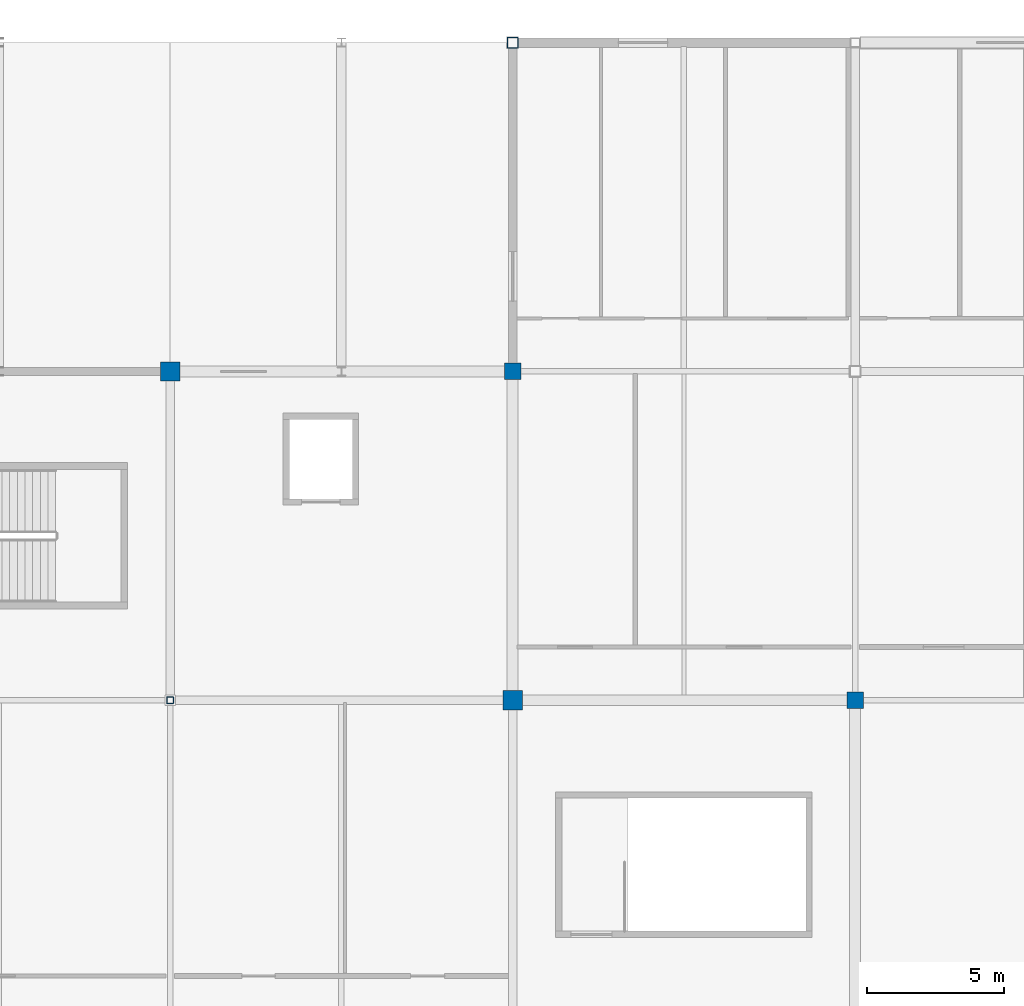
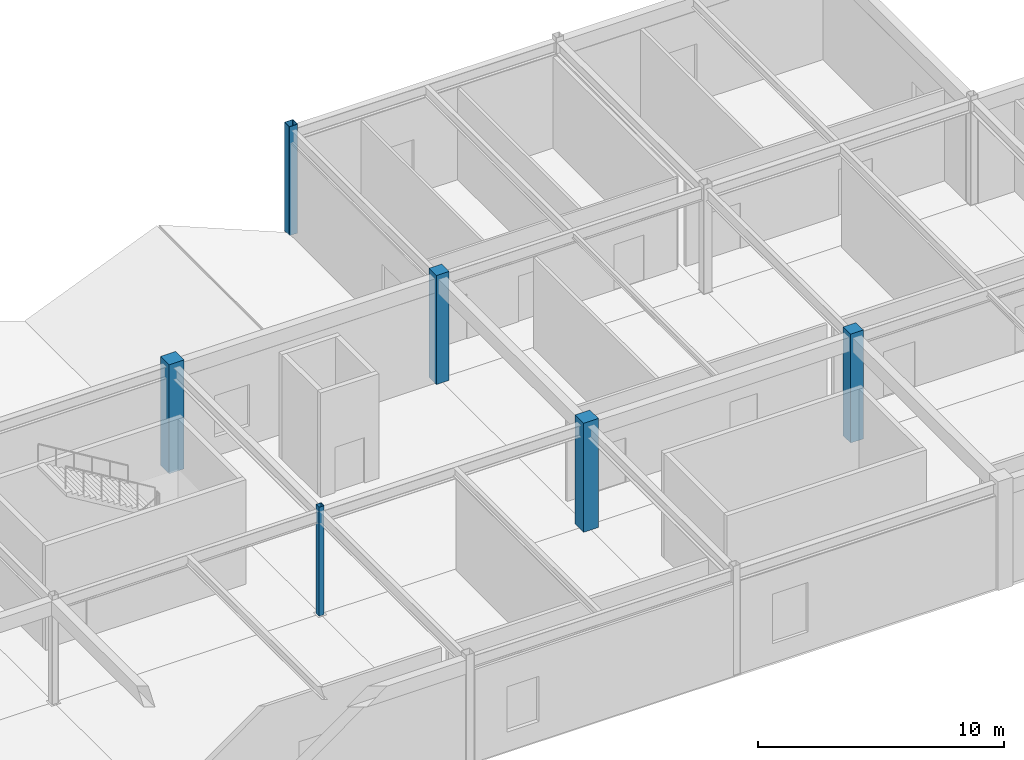
# One storey, part 23 of 105: 6 columns.
"""IFC4 building model written with IfcOpenShell, lengths in metres."""

from ifc_helpers import new_model, si_unit, direction, frame, origin, origin_2d, place, context, subcontext, project, spatial, rectangle, hollow_rectangle, extrude, material, material_profile, profile_set, type_object, element, save


model = new_model("IFC4")

# Units and contexts
model_context = context("Model", 3, precision=1e-05, world=origin(), true_north=direction((0.0, 1.0)))
body_context = subcontext(model_context, "Body", "Model", "MODEL_VIEW")
ifc_project = project(units=[si_unit("LENGTHUNIT", "METRE"), si_unit("AREAUNIT", "SQUARE_METRE"), si_unit("VOLUMEUNIT", "CUBIC_METRE"), si_unit("PLANEANGLEUNIT", "RADIAN"), si_unit("MASSUNIT", "GRAM", prefix="KILO")], contexts=[model_context])

# Site, building, storey
site_placement = place(None, origin())
site = spatial("IfcSite", under=ifc_project, at=site_placement, CompositionType="ELEMENT")
building_placement = place(site_placement, origin())
building = spatial("IfcBuilding", under=site, at=building_placement, Name="Kazenohara Klinker Stadium", CompositionType="ELEMENT")
storey_placement = place(building_placement, frame((0.0, 0.0, 20.39990234375)))
storey = spatial("IfcBuildingStorey", under=building, at=storey_placement, Name="L04", CompositionType="ELEMENT", Elevation=20.39990234375)

# Columns
ifc_material_1 = material(Name="Concrete C40/50", Category="concrete")
ifc_material_profile_1 = material_profile(ifc_material_1, rectangle(XDim=0.699951171875, YDim=0.699951171875, at=origin_2d()), Name="RC-COL-700x700")
ifc_profile_set_1 = profile_set([ifc_material_profile_1], Name="Concrete C40/50")
column_type_1 = type_object("IfcColumnType", Name="COL-RC06", PredefinedType="COLUMN", material=ifc_profile_set_1)
for number, where, z_axis, x_axis, name in (
    (1, (137.5, 156.0, 0.0), (0.0, 0.0, 1.0), (1.0, 0.0, 0.0), "Column C06 L04 12/P"),
    (2, (150.0, 144.0, 0.0), (0.0, 0.0, 1.0), (1.0, 0.0, 0.0), "Column C06 L04 13/N"),
):
    element("IfcColumn", number, at=place(storey_placement, frame(where, z_axis=z_axis, x_axis=x_axis)), inside=storey, type_object=column_type_1, Name=name, PredefinedType="COLUMN", context=body_context, shape_type="SweptSolid", body=[
        extrude(rectangle(XDim=0.699951171875, YDim=0.699951171875, at=origin_2d()), origin(), (0.0, 0.0, 1.0), 5.400146484375),
    ])
ifc_material_profile_2 = material_profile(ifc_material_1, rectangle(XDim=0.60009765625, YDim=0.60009765625, at=origin_2d()), Name="RC-COL-600x600")
ifc_profile_set_2 = profile_set([ifc_material_profile_2], Name="Concrete C40/50")
column_type_2 = type_object("IfcColumnType", Name="COL-RC07", PredefinedType="COLUMN", material=ifc_profile_set_2)
for number, where, z_axis, x_axis, name in (
    (3, (150.0, 156.0, 0.0), (0.0, 0.0, 1.0), (1.0, 0.0, 0.0), "Column C07 L04 13/P"),
    (4, (162.5, 144.0, 0.0), (0.0, 0.0, 1.0), (1.0, 0.0, 0.0), "Column C07 L04 14/N"),
):
    element("IfcColumn", number, at=place(storey_placement, frame(where, z_axis=z_axis, x_axis=x_axis)), inside=storey, type_object=column_type_2, Name=name, PredefinedType="COLUMN", context=body_context, shape_type="SweptSolid", body=[
        extrude(rectangle(XDim=0.60009765625, YDim=0.60009765625, at=origin_2d()), origin(), (0.0, 0.0, 1.0), 5.400146484375),
    ])
ifc_material_2 = material(Name="Steel S355", Category="steel")
ifc_material_profile_3 = material_profile(ifc_material_2, hollow_rectangle(XDim=0.39990234375, YDim=0.39990234375, WallThickness=0.01611328125, InnerFilletRadius=0.01611328125, OuterFilletRadius=0.031982421875, at=origin_2d()), Name="SHS-400x400x16")
ifc_profile_set_3 = profile_set([ifc_material_profile_3], Name="Steel S355")
column_type_3 = type_object("IfcColumnType", Name="COL-ST01", PredefinedType="COLUMN", material=ifc_profile_set_3)
column_1_placement = place(storey_placement, frame((150.0, 168.0, 0.0), z_axis=(0.0, 0.0, 1.0), x_axis=(1.0, 0.0, 0.0)))
element("IfcColumn", 5, at=column_1_placement, inside=storey, type_object=column_type_3, Name="Column SC01 L04 13/Q", PredefinedType="COLUMN", context=body_context, shape_type="SweptSolid", body=[
    extrude(hollow_rectangle(XDim=0.39990234375, YDim=0.39990234375, WallThickness=0.01611328125, InnerFilletRadius=0.01611328125, OuterFilletRadius=0.031982421875, at=origin_2d()), origin(), (0.0, 0.0, 1.0), 5.400146484375),
])
ifc_material_profile_4 = material_profile(ifc_material_2, hollow_rectangle(XDim=0.25, YDim=0.25, WallThickness=0.011962890625, InnerFilletRadius=0.011962890625, OuterFilletRadius=0.02392578125, at=origin_2d()), Name="SHS-250x250x12")
ifc_profile_set_4 = profile_set([ifc_material_profile_4], Name="Steel S355")
column_type_4 = type_object("IfcColumnType", Name="COL-ST04", PredefinedType="COLUMN", material=ifc_profile_set_4)
column_2_placement = place(storey_placement, frame((137.5, 144.0, 0.0), z_axis=(0.0, 0.0, 1.0), x_axis=(1.0, 0.0, 0.0)))
element("IfcColumn", 6, at=column_2_placement, inside=storey, type_object=column_type_4, Name="Column SC04 L04 12/N", PredefinedType="COLUMN", context=body_context, shape_type="SweptSolid", body=[
    extrude(hollow_rectangle(XDim=0.25, YDim=0.25, WallThickness=0.011962890625, InnerFilletRadius=0.011962890625, OuterFilletRadius=0.02392578125, at=origin_2d()), origin(), (0.0, 0.0, 1.0), 5.400146484375),
])

save(model, "model.ifc")
